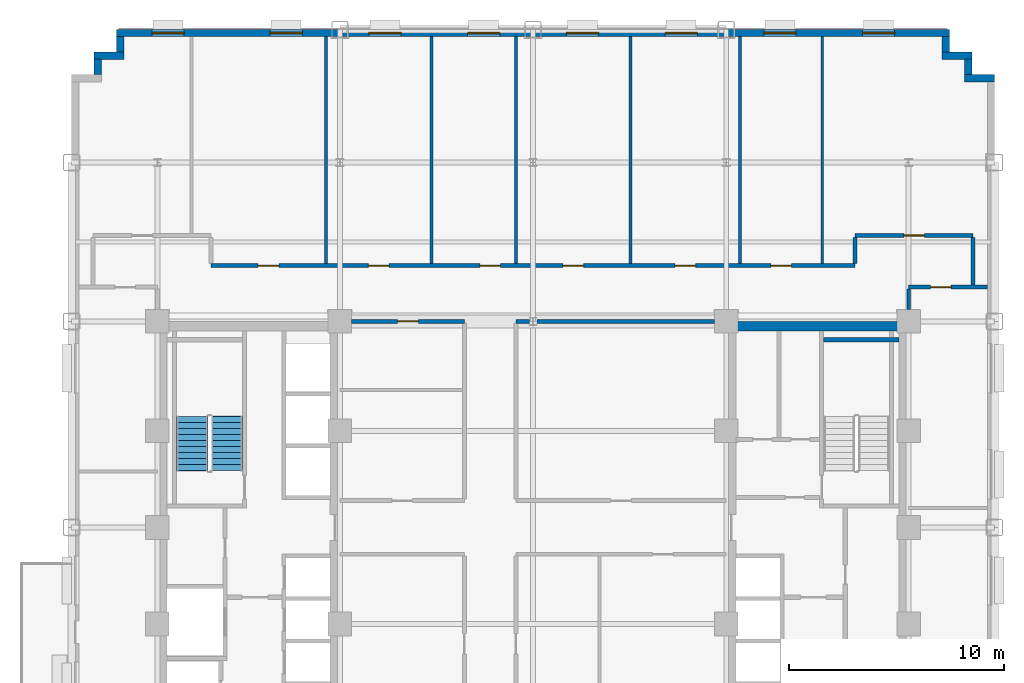
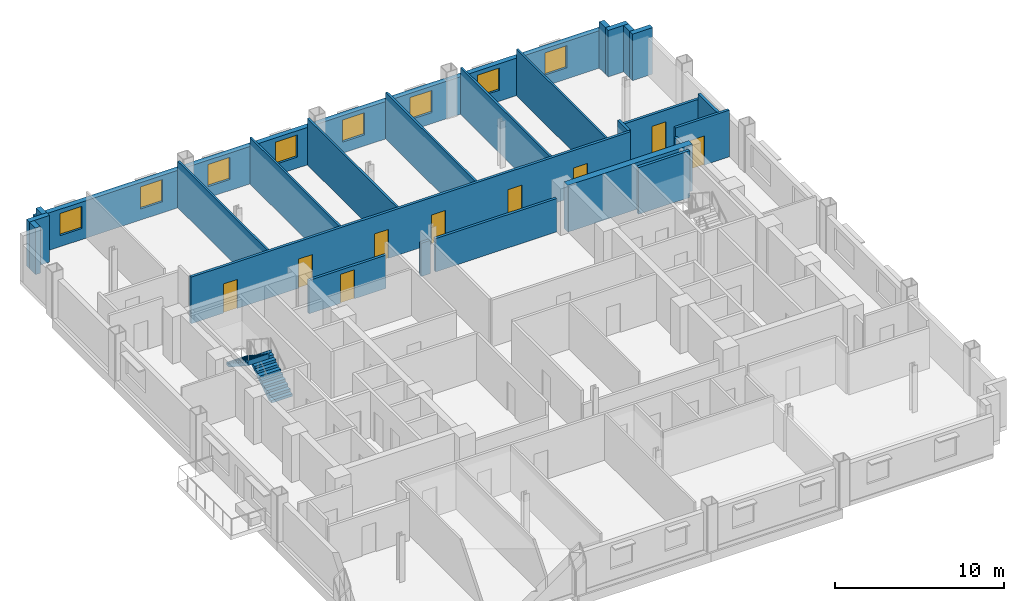
# One storey, part 9 of 14: 25 walls, 9 doors, 8 windows, 2 stair flights, 17 openings, 1 element without a shape of its own.
"""IFC4 building model written with IfcOpenShell, lengths in metres."""

from ifc_helpers import new_model, si_unit, direction, frame, frame_2d, origin, place, context, subcontext, project, spatial, polyline, rectangle, outline, extrude, source, transform, mapped, material, layer, layer_set, type_object, type_shapes, element, fill, aggregate, save


model = new_model("IFC4")

# Units and contexts
model_context = context("Model", 3, precision=1e-05, world=origin(), true_north=direction((0.0, 1.0)))
body_context = subcontext(model_context, "Body", "Model", "MODEL_VIEW")
ifc_project = project(units=[si_unit("LENGTHUNIT", "METRE"), si_unit("AREAUNIT", "SQUARE_METRE"), si_unit("VOLUMEUNIT", "CUBIC_METRE"), si_unit("PLANEANGLEUNIT", "RADIAN"), si_unit("MASSUNIT", "GRAM", prefix="KILO")], contexts=[model_context])

# Site, building, storey
site_placement = place(None, origin())
site = spatial("IfcSite", under=ifc_project, at=site_placement, CompositionType="ELEMENT")
building_placement = place(site_placement, origin())
building = spatial("IfcBuilding", under=site, at=building_placement, Name="Nuvemarco Arch Tower", CompositionType="ELEMENT")
storey_placement = place(building_placement, frame((0.0, 0.0, 60.449951171875)))
storey = spatial("IfcBuildingStorey", under=building, at=storey_placement, Name="L15", CompositionType="ELEMENT", Elevation=60.449951171875)

# Walls
ifc_material_1 = material(Name="Precast concrete C45/55", Category="concrete")
ifc_layer_1 = layer(ifc_material_1, 0.340087890625, Name="EW-LOW-340")
ifc_layer_set_1 = layer_set([ifc_layer_1], Name="Precast concrete C45/55")
wall_type_1 = type_object("IfcWallType", Name="EW-LOW-340", PredefinedType="STANDARD", material=ifc_layer_set_1)
wall_1_placement = place(storey_placement, frame((20.110107421875, 20.929931640625, 0.0), z_axis=(0.0, 0.0, 1.0), x_axis=(1.0, 0.0, 0.0)))
element("IfcWall", 1, at=wall_1_placement, inside=storey, type_object=wall_type_1, Name="L15 exterior precast facade wall 7", PredefinedType="STANDARD", context=body_context, shape_type="SweptSolid", body=[
    extrude(rectangle(XDim=1.389892578125, YDim=0.340087890625, at=frame_2d((0.69482421875, 0.0))), origin(), (0.0, 0.0, 1.0), 3.360107421875),
])
wall_2_placement = place(storey_placement, frame((20.280029296875, 21.095947265625, 0.0), z_axis=(0.0, 0.0, 1.0), x_axis=(0.0, 1.0, 0.0)))
element("IfcWall", 2, at=wall_2_placement, inside=storey, type_object=wall_type_1, Name="L15 exterior precast facade wall 8", PredefinedType="STANDARD", context=body_context, shape_type="SweptSolid", body=[
    extrude(rectangle(XDim=0.718017578125, YDim=0.340087890625, at=frame_2d((0.35888671875, 0.0))), origin(), (0.0, 0.0, 1.0), 3.360107421875),
])
wall_3_placement = place(storey_placement, frame((19.06005859375, 21.97998046875, 0.0), z_axis=(0.0, 0.0, 1.0), x_axis=(1.0, 0.0, 0.0)))
element("IfcWall", 3, at=wall_3_placement, inside=storey, type_object=wall_type_1, Name="L15 exterior precast facade wall 9", PredefinedType="STANDARD", context=body_context, shape_type="SweptSolid", body=[
    extrude(rectangle(XDim=1.389892578125, YDim=0.340087890625, at=frame_2d((0.69482421875, 0.0))), origin(), (0.0, 0.0, 1.0), 3.360107421875),
])
wall_4_placement = place(storey_placement, frame((19.22998046875, 22.14599609375, 0.0), z_axis=(0.0, 0.0, 1.0), x_axis=(0.0, 1.0, 0.0)))
element("IfcWall", 4, at=wall_4_placement, inside=storey, type_object=wall_type_1, Name="L15 exterior precast facade wall 10", PredefinedType="STANDARD", context=body_context, shape_type="SweptSolid", body=[
    extrude(rectangle(XDim=0.718017578125, YDim=0.340087890625, at=frame_2d((0.35888671875, 0.0))), origin(), (0.0, 0.0, 1.0), 3.360107421875),
])

# Wall, openings, windows
wall_5_placement = place(storey_placement, frame((-19.39990234375, 23.030029296875, 0.0), z_axis=(0.0, 0.0, 1.0), x_axis=(1.0, 0.0, 0.0)))
wall_5 = element("IfcWall", 5, at=wall_5_placement, inside=storey, type_object=wall_type_1, Name="L15 exterior precast facade wall 11", PredefinedType="STANDARD", context=body_context, shape_type="SweptSolid", body=[
    extrude(rectangle(XDim=38.7998046875, YDim=0.340087890625, at=frame_2d((19.39990234375, 0.0))), origin(), (0.0, 0.0, 1.0), 2.705078125),
])
opening_1_placement = place(wall_5_placement, frame((1.64990234375, 0.0, 0.800048828125)))
opening_1 = element("IfcOpeningElement", 6, at=opening_1_placement, cuts=wall_5, Name="Opening WN-11", PredefinedType="OPENING", context=body_context, shape_type="SweptSolid", body=[
    extrude(rectangle(XDim=1.5, YDim=1.60009765625, at=frame_2d((0.75, 0.800048828125))), frame((0.0, 0.179931640625, 0.0), z_axis=(0.0, -1.0, 0.0), x_axis=(1.0, 0.0, 0.0)), (0.0, 0.0, 1.0), 0.360107421875),
])
opening_2_placement = place(wall_5_placement, frame((7.14990234375, 0.0, 0.800048828125)))
opening_2 = element("IfcOpeningElement", 7, at=opening_2_placement, cuts=wall_5, Name="Opening WN-11", PredefinedType="OPENING", context=body_context, shape_type="SweptSolid", body=[
    extrude(rectangle(XDim=1.5, YDim=1.60009765625, at=frame_2d((0.75, 0.800048828125))), frame((0.0, 0.179931640625, 0.0), z_axis=(0.0, -1.0, 0.0), x_axis=(1.0, 0.0, 0.0)), (0.0, 0.0, 1.0), 0.360107421875),
])
opening_3_placement = place(wall_5_placement, frame((11.75, 0.0, 0.800048828125)))
opening_3 = element("IfcOpeningElement", 8, at=opening_3_placement, cuts=wall_5, Name="Opening WN-11", PredefinedType="OPENING", context=body_context, shape_type="SweptSolid", body=[
    extrude(rectangle(XDim=1.5, YDim=1.60009765625, at=frame_2d((0.75, 0.800048828125))), frame((0.0, 0.179931640625, 0.0), z_axis=(0.0, -1.0, 0.0), x_axis=(1.0, 0.0, 0.0)), (0.0, 0.0, 1.0), 0.360107421875),
])
opening_4_placement = place(wall_5_placement, frame((16.35009765625, 0.0, 0.800048828125)))
opening_4 = element("IfcOpeningElement", 9, at=opening_4_placement, cuts=wall_5, Name="Opening WN-11", PredefinedType="OPENING", context=body_context, shape_type="SweptSolid", body=[
    extrude(rectangle(XDim=1.5, YDim=1.60009765625, at=frame_2d((0.75, 0.800048828125))), frame((0.0, 0.179931640625, 0.0), z_axis=(0.0, -1.0, 0.0), x_axis=(1.0, 0.0, 0.0)), (0.0, 0.0, 1.0), 0.360107421875),
])
opening_5_placement = place(wall_5_placement, frame((20.949951171875, 0.0, 0.800048828125)))
opening_5 = element("IfcOpeningElement", 10, at=opening_5_placement, cuts=wall_5, Name="Opening WN-11", PredefinedType="OPENING", context=body_context, shape_type="SweptSolid", body=[
    extrude(rectangle(XDim=1.5, YDim=1.60009765625, at=frame_2d((0.75, 0.800048828125))), frame((0.0, 0.179931640625, 0.0), z_axis=(0.0, -1.0, 0.0), x_axis=(1.0, 0.0, 0.0)), (0.0, 0.0, 1.0), 0.360107421875),
])
opening_6_placement = place(wall_5_placement, frame((25.550048828125, 0.0, 0.800048828125)))
opening_6 = element("IfcOpeningElement", 11, at=opening_6_placement, cuts=wall_5, Name="Opening WN-11", PredefinedType="OPENING", context=body_context, shape_type="SweptSolid", body=[
    extrude(rectangle(XDim=1.5, YDim=1.60009765625, at=frame_2d((0.75, 0.800048828125))), frame((0.0, 0.179931640625, 0.0), z_axis=(0.0, -1.0, 0.0), x_axis=(1.0, 0.0, 0.0)), (0.0, 0.0, 1.0), 0.360107421875),
])
opening_7_placement = place(wall_5_placement, frame((30.14990234375, 0.0, 0.800048828125)))
opening_7 = element("IfcOpeningElement", 12, at=opening_7_placement, cuts=wall_5, Name="Opening WN-11", PredefinedType="OPENING", context=body_context, shape_type="SweptSolid", body=[
    extrude(rectangle(XDim=1.5, YDim=1.60009765625, at=frame_2d((0.75, 0.800048828125))), frame((0.0, 0.179931640625, 0.0), z_axis=(0.0, -1.0, 0.0), x_axis=(1.0, 0.0, 0.0)), (0.0, 0.0, 1.0), 0.360107421875),
])
opening_8_placement = place(wall_5_placement, frame((34.75, 0.0, 0.800048828125)))
opening_8 = element("IfcOpeningElement", 13, at=opening_8_placement, cuts=wall_5, Name="Opening WN-11", PredefinedType="OPENING", context=body_context, shape_type="SweptSolid", body=[
    extrude(rectangle(XDim=1.5, YDim=1.60009765625, at=frame_2d((0.75, 0.800048828125))), frame((0.0, 0.179931640625, 0.0), z_axis=(0.0, -1.0, 0.0), x_axis=(1.0, 0.0, 0.0)), (0.0, 0.0, 1.0), 0.360107421875),
])
ifc_material_2 = material(Name="Insulated solar-control glass", Category="glass")
window_type = type_object("IfcWindowType", Name="WN-STEP-1500x1850", PartitioningType="SINGLE_PANEL", PredefinedType="WINDOW", material=ifc_material_2)
shared_shape_1 = source(origin(), body_context, "Body", "SweptSolid", [
    extrude(rectangle(XDim=1.5, YDim=1.60009765625, at=frame_2d((0.75, 0.800048828125))), frame((0.0, 0.030029296875, 0.0), z_axis=(0.0, -1.0, 0.0), x_axis=(1.0, 0.0, 0.0)), (0.0, 0.0, 1.0), 0.06005859375),
])
type_shapes(window_type, [shared_shape_1])
window_1_placement = place(opening_1_placement, origin())
window_1 = element("IfcWindow", 14, at=window_1_placement, inside=storey, type_object=window_type, Name="L15 punched facade window 1", OverallHeight=1.60009765625, OverallWidth=1.5, PartitioningType="SINGLE_PANEL", PredefinedType="WINDOW", context=body_context, shape_type="MappedRepresentation", body=[
    mapped(shared_shape_1, transform((0.0, 0.0, 0.0), scale=1.0)),
])
fill(opening_1, window_1)
window_2_placement = place(opening_2_placement, origin())
window_2 = element("IfcWindow", 15, at=window_2_placement, inside=storey, type_object=window_type, Name="L15 punched facade window 2", OverallHeight=1.60009765625, OverallWidth=1.5, PartitioningType="SINGLE_PANEL", PredefinedType="WINDOW", context=body_context, shape_type="MappedRepresentation", body=[
    mapped(shared_shape_1, transform((0.0, 0.0, 0.0), scale=1.0)),
])
fill(opening_2, window_2)
window_3_placement = place(opening_3_placement, origin())
window_3 = element("IfcWindow", 16, at=window_3_placement, inside=storey, type_object=window_type, Name="L15 punched facade window 3", OverallHeight=1.60009765625, OverallWidth=1.5, PartitioningType="SINGLE_PANEL", PredefinedType="WINDOW", context=body_context, shape_type="MappedRepresentation", body=[
    mapped(shared_shape_1, transform((0.0, 0.0, 0.0), scale=1.0)),
])
fill(opening_3, window_3)
window_4_placement = place(opening_4_placement, origin())
window_4 = element("IfcWindow", 17, at=window_4_placement, inside=storey, type_object=window_type, Name="L15 punched facade window 4", OverallHeight=1.60009765625, OverallWidth=1.5, PartitioningType="SINGLE_PANEL", PredefinedType="WINDOW", context=body_context, shape_type="MappedRepresentation", body=[
    mapped(shared_shape_1, transform((0.0, 0.0, 0.0), scale=1.0)),
])
fill(opening_4, window_4)
window_5_placement = place(opening_5_placement, origin())
window_5 = element("IfcWindow", 18, at=window_5_placement, inside=storey, type_object=window_type, Name="L15 punched facade window 5", OverallHeight=1.60009765625, OverallWidth=1.5, PartitioningType="SINGLE_PANEL", PredefinedType="WINDOW", context=body_context, shape_type="MappedRepresentation", body=[
    mapped(shared_shape_1, transform((0.0, 0.0, 0.0), scale=1.0)),
])
fill(opening_5, window_5)
window_6_placement = place(opening_6_placement, origin())
window_6 = element("IfcWindow", 19, at=window_6_placement, inside=storey, type_object=window_type, Name="L15 punched facade window 6", OverallHeight=1.60009765625, OverallWidth=1.5, PartitioningType="SINGLE_PANEL", PredefinedType="WINDOW", context=body_context, shape_type="MappedRepresentation", body=[
    mapped(shared_shape_1, transform((0.0, 0.0, 0.0), scale=1.0)),
])
fill(opening_6, window_6)
window_7_placement = place(opening_7_placement, origin())
window_7 = element("IfcWindow", 20, at=window_7_placement, inside=storey, type_object=window_type, Name="L15 punched facade window 7", OverallHeight=1.60009765625, OverallWidth=1.5, PartitioningType="SINGLE_PANEL", PredefinedType="WINDOW", context=body_context, shape_type="MappedRepresentation", body=[
    mapped(shared_shape_1, transform((0.0, 0.0, 0.0), scale=1.0)),
])
fill(opening_7, window_7)
window_8_placement = place(opening_8_placement, origin())
window_8 = element("IfcWindow", 21, at=window_8_placement, inside=storey, type_object=window_type, Name="L15 punched facade window 8", OverallHeight=1.60009765625, OverallWidth=1.5, PartitioningType="SINGLE_PANEL", PredefinedType="WINDOW", context=body_context, shape_type="MappedRepresentation", body=[
    mapped(shared_shape_1, transform((0.0, 0.0, 0.0), scale=1.0)),
])
fill(opening_8, window_8)

# Walls
wall_6_placement = place(storey_placement, frame((-19.22998046875, 22.14599609375, 0.0), z_axis=(0.0, 0.0, 1.0), x_axis=(0.0, 1.0, 0.0)))
element("IfcWall", 22, at=wall_6_placement, inside=storey, type_object=wall_type_1, Name="L15 exterior precast facade wall 12", PredefinedType="STANDARD", context=body_context, shape_type="SweptSolid", body=[
    extrude(rectangle(XDim=0.718017578125, YDim=0.340087890625, at=frame_2d((0.35888671875, 0.0))), origin(), (0.0, 0.0, 1.0), 3.360107421875),
])
wall_7_placement = place(storey_placement, frame((-20.449951171875, 21.97998046875, 0.0), z_axis=(0.0, 0.0, 1.0), x_axis=(1.0, 0.0, 0.0)))
element("IfcWall", 23, at=wall_7_placement, inside=storey, type_object=wall_type_1, Name="L15 exterior precast facade wall 13", PredefinedType="STANDARD", context=body_context, shape_type="SweptSolid", body=[
    extrude(rectangle(XDim=1.389892578125, YDim=0.340087890625, at=frame_2d((0.69482421875, 0.0))), origin(), (0.0, 0.0, 1.0), 3.360107421875),
])
wall_8_placement = place(storey_placement, frame((-20.280029296875, 21.095947265625, 0.0), z_axis=(0.0, 0.0, 1.0), x_axis=(0.0, 1.0, 0.0)))
element("IfcWall", 24, at=wall_8_placement, inside=storey, type_object=wall_type_1, Name="L15 exterior precast facade wall 14", PredefinedType="STANDARD", context=body_context, shape_type="SweptSolid", body=[
    extrude(rectangle(XDim=0.718017578125, YDim=0.340087890625, at=frame_2d((0.35888671875, 0.0))), origin(), (0.0, 0.0, 1.0), 3.360107421875),
])
ifc_material_3 = material(Name="Concrete C60/75", Category="concrete")
ifc_layer_2 = layer(ifc_material_3, 0.449951171875, Name="WL-CORE-450")
ifc_layer_set_2 = layer_set([ifc_layer_2], Name="Concrete C60/75")
wall_type_2 = type_object("IfcWallType", Name="WL-CORE-450", PredefinedType="SHEAR", material=ifc_layer_set_2)
wall_9_placement = place(storey_placement, frame((9.0, 9.375, 0.0), z_axis=(0.0, 0.0, 1.0), x_axis=(1.0, 0.0, 0.0)))
element("IfcWall", 25, at=wall_9_placement, inside=storey, type_object=wall_type_2, Name="L15 E-core shear wall N", PredefinedType="SHEAR", context=body_context, shape_type="SweptSolid", body=[
    extrude(rectangle(XDim=8.5, YDim=0.449951171875, at=frame_2d((4.25, 0.0))), origin(), (0.0, 0.0, 1.0), 3.3701171875),
])

# Wall, opening, door
ifc_material_4 = material(Name="Fire-rated gypsum drywall partition")
ifc_layer_3 = layer(ifc_material_4, 0.179931640625, Name="WL-CORR-180")
ifc_layer_set_3 = layer_set([ifc_layer_3], Name="Fire-rated gypsum drywall partition")
wall_type_3 = type_object("IfcWallType", Name="WL-CORR-180", PredefinedType="PARTITIONING", material=ifc_layer_set_3)
wall_10_placement = place(storey_placement, frame((-8.4541015625, 9.60009765625, 0.0), z_axis=(0.0, 0.0, 1.0), x_axis=(1.0, 0.0, 0.0)))
wall_10 = element("IfcWall", 26, at=wall_10_placement, inside=storey, type_object=wall_type_3, Name="L15 interior wall IW-L15-018", PredefinedType="PARTITIONING", context=body_context, shape_type="SweptSolid", body=[
    extrude(rectangle(XDim=5.254150390625, YDim=0.179931640625, at=frame_2d((2.626953125, 0.0))), origin(), (0.0, 0.0, 1.0), 2.405029296875),
])
opening_9_placement = place(wall_10_placement, frame((2.14697265625, 0.0, 0.0)))
opening_9 = element("IfcOpeningElement", 27, at=opening_9_placement, cuts=wall_10, Name="Opening FD-5", PredefinedType="OPENING", context=body_context, shape_type="SweptSolid", body=[
    extrude(rectangle(XDim=0.9599609375, YDim=2.10009765625, at=frame_2d((0.47998046875, 1.050048828125))), frame((0.0, 0.099853515625, 0.0), z_axis=(0.0, -1.0, 0.0), x_axis=(1.0, 0.0, 0.0)), (0.0, 0.0, 1.0), 0.199951171875),
])
ifc_material_5 = material(Name="Timber fire door", Category="wood")
door_type = type_object("IfcDoorType", Name="DR-CORR-FD", OperationType="NOTDEFINED", PredefinedType="DOOR", material=ifc_material_5)
shared_shape_2 = source(origin(), body_context, "Body", "SweptSolid", [
    extrude(rectangle(XDim=0.9599609375, YDim=2.10009765625, at=frame_2d((0.47998046875, 1.050048828125))), frame((0.0, 0.02490234375, 0.0), z_axis=(0.0, -1.0, 0.0), x_axis=(1.0, 0.0, 0.0)), (0.0, 0.0, 1.0), 0.050048828125),
])
type_shapes(door_type, [shared_shape_2])
door_1_placement = place(opening_9_placement, origin())
door_1 = element("IfcDoor", 28, at=door_1_placement, inside=storey, type_object=door_type, Name="L15 door DR-L15-C_NW2", OperationType="SINGLE_SWING_RIGHT", OverallHeight=2.10009765625, OverallWidth=0.9599609375, PredefinedType="DOOR", context=body_context, shape_type="MappedRepresentation", body=[
    mapped(shared_shape_2, transform((0.0, 0.0, 0.0), scale=1.0)),
])
fill(opening_9, door_1)

# Walls
wall_11_placement = place(storey_placement, frame((-0.800048828125, 9.60009765625, 0.0), z_axis=(0.0, 0.0, 1.0), x_axis=(1.0, 0.0, 0.0)))
element("IfcWall", 29, at=wall_11_placement, inside=storey, type_object=wall_type_3, Name="L15 interior wall IW-L15-019", PredefinedType="PARTITIONING", context=body_context, shape_type="SweptSolid", body=[
    extrude(rectangle(XDim=0.6240234375, YDim=0.179931640625, at=frame_2d((0.31201171875, 0.0))), origin(), (0.0, 0.0, 1.0), 2.405029296875),
])
wall_12_placement = place(storey_placement, frame((0.176025390625, 9.60009765625, 0.0), z_axis=(0.0, 0.0, 1.0), x_axis=(1.0, 0.0, 0.0)))
element("IfcWall", 30, at=wall_12_placement, inside=storey, type_object=wall_type_3, Name="L15 interior wall IW-L15-020", PredefinedType="PARTITIONING", context=body_context, shape_type="SweptSolid", body=[
    extrude(rectangle(XDim=8.278076171875, YDim=0.179931640625, at=frame_2d((4.13916015625, 0.0))), origin(), (0.0, 0.0, 1.0), 2.405029296875),
])

# Wall, opening, door
wall_13_placement = place(storey_placement, frame((17.5, 11.199951171875, 0.0), z_axis=(0.0, 0.0, 1.0), x_axis=(1.0, 0.0, 0.0)))
wall_13 = element("IfcWall", 31, at=wall_13_placement, inside=storey, type_object=wall_type_3, Name="L15 interior wall IW-L15-022", PredefinedType="PARTITIONING", context=body_context, shape_type="SweptSolid", body=[
    extrude(rectangle(XDim=3.659912109375, YDim=0.179931640625, at=frame_2d((1.830078125, 0.0))), origin(), (0.0, 0.0, 1.0), 3.360107421875),
])
opening_10_placement = place(wall_13_placement, frame((1.02001953125, 0.0, 0.0)))
opening_10 = element("IfcOpeningElement", 32, at=opening_10_placement, cuts=wall_13, Name="Opening FD-5", PredefinedType="OPENING", context=body_context, shape_type="SweptSolid", body=[
    extrude(rectangle(XDim=0.9599609375, YDim=2.10009765625, at=frame_2d((0.47998046875, 1.050048828125))), frame((0.0, 0.099853515625, 0.0), z_axis=(0.0, -1.0, 0.0), x_axis=(1.0, 0.0, 0.0)), (0.0, 0.0, 1.0), 0.199951171875),
])
door_2_placement = place(opening_10_placement, origin())
door_2 = element("IfcDoor", 33, at=door_2_placement, inside=storey, type_object=door_type, Name="L15 door DR-L15-E_2", OperationType="SINGLE_SWING_LEFT", OverallHeight=2.10009765625, OverallWidth=0.9599609375, PredefinedType="DOOR", context=body_context, shape_type="MappedRepresentation", body=[
    mapped(shared_shape_2, transform((0.0, 0.0, 0.0), scale=1.0)),
])
fill(opening_10, door_2)

# Wall, openings, doors
wall_14_placement = place(storey_placement, frame((-15.0, 12.199951171875, 0.0), z_axis=(0.0, 0.0, 1.0), x_axis=(1.0, 0.0, 0.0)))
wall_14 = element("IfcWall", 34, at=wall_14_placement, inside=storey, type_object=wall_type_3, Name="L15 interior wall IW-L15-023", PredefinedType="PARTITIONING", context=body_context, shape_type="SweptSolid", body=[
    extrude(rectangle(XDim=30.0, YDim=0.179931640625, at=frame_2d((15.0, 0.0))), origin(), (0.0, 0.0, 1.0), 3.360107421875),
])
opening_11_placement = place(wall_14_placement, frame((2.195068359375, 0.0, 0.0)))
opening_11 = element("IfcOpeningElement", 35, at=opening_11_placement, cuts=wall_14, Name="Opening FD-5", PredefinedType="OPENING", context=body_context, shape_type="SweptSolid", body=[
    extrude(rectangle(XDim=0.9599609375, YDim=2.10009765625, at=frame_2d((0.47998046875, 1.050048828125))), frame((0.0, 0.099853515625, 0.0), z_axis=(0.0, -1.0, 0.0), x_axis=(1.0, 0.0, 0.0)), (0.0, 0.0, 1.0), 0.199951171875),
])
opening_12_placement = place(wall_14_placement, frame((16.39501953125, 0.0, 0.0)))
opening_12 = element("IfcOpeningElement", 36, at=opening_12_placement, cuts=wall_14, Name="Opening FD-5", PredefinedType="OPENING", context=body_context, shape_type="SweptSolid", body=[
    extrude(rectangle(XDim=0.9599609375, YDim=2.10009765625, at=frame_2d((0.47998046875, 1.050048828125))), frame((0.0, 0.099853515625, 0.0), z_axis=(0.0, -1.0, 0.0), x_axis=(1.0, 0.0, 0.0)), (0.0, 0.0, 1.0), 0.199951171875),
])
opening_13_placement = place(wall_14_placement, frame((21.6201171875, 0.0, 0.0)))
opening_13 = element("IfcOpeningElement", 37, at=opening_13_placement, cuts=wall_14, Name="Opening FD-5", PredefinedType="OPENING", context=body_context, shape_type="SweptSolid", body=[
    extrude(rectangle(XDim=0.9599609375, YDim=2.10009765625, at=frame_2d((0.47998046875, 1.050048828125))), frame((0.0, 0.099853515625, 0.0), z_axis=(0.0, -1.0, 0.0), x_axis=(1.0, 0.0, 0.0)), (0.0, 0.0, 1.0), 0.199951171875),
])
opening_14_placement = place(wall_14_placement, frame((7.330078125, 0.0, 0.0)))
opening_14 = element("IfcOpeningElement", 38, at=opening_14_placement, cuts=wall_14, Name="Opening FD-5", PredefinedType="OPENING", context=body_context, shape_type="SweptSolid", body=[
    extrude(rectangle(XDim=0.9599609375, YDim=2.10009765625, at=frame_2d((0.47998046875, 1.050048828125))), frame((0.0, 0.099853515625, 0.0), z_axis=(0.0, -1.0, 0.0), x_axis=(1.0, 0.0, 0.0)), (0.0, 0.0, 1.0), 0.199951171875),
])
opening_15_placement = place(wall_14_placement, frame((26.080078125, 0.0, 0.0)))
opening_15 = element("IfcOpeningElement", 39, at=opening_15_placement, cuts=wall_14, Name="Opening FD-5", PredefinedType="OPENING", context=body_context, shape_type="SweptSolid", body=[
    extrude(rectangle(XDim=0.9599609375, YDim=2.10009765625, at=frame_2d((0.47998046875, 1.050048828125))), frame((0.0, 0.099853515625, 0.0), z_axis=(0.0, -1.0, 0.0), x_axis=(1.0, 0.0, 0.0)), (0.0, 0.0, 1.0), 0.199951171875),
])
opening_16_placement = place(wall_14_placement, frame((12.52001953125, 0.0, 0.0)))
opening_16 = element("IfcOpeningElement", 40, at=opening_16_placement, cuts=wall_14, Name="Opening FD-5", PredefinedType="OPENING", context=body_context, shape_type="SweptSolid", body=[
    extrude(rectangle(XDim=0.9599609375, YDim=2.10009765625, at=frame_2d((0.47998046875, 1.050048828125))), frame((0.0, 0.099853515625, 0.0), z_axis=(0.0, -1.0, 0.0), x_axis=(1.0, 0.0, 0.0)), (0.0, 0.0, 1.0), 0.199951171875),
])
door_3_placement = place(opening_11_placement, origin())
door_3 = element("IfcDoor", 41, at=door_3_placement, inside=storey, type_object=door_type, Name="L15 door DR-L15-N_2", OperationType="SINGLE_SWING_RIGHT", OverallHeight=2.10009765625, OverallWidth=0.9599609375, PredefinedType="DOOR", context=body_context, shape_type="MappedRepresentation", body=[
    mapped(shared_shape_2, transform((0.0, 0.0, 0.0), scale=1.0)),
])
fill(opening_11, door_3)
door_4_placement = place(opening_12_placement, origin())
door_4 = element("IfcDoor", 42, at=door_4_placement, inside=storey, type_object=door_type, Name="L15 door DR-L15-N_5", OperationType="SINGLE_SWING_LEFT", OverallHeight=2.10009765625, OverallWidth=0.9599609375, PredefinedType="DOOR", context=body_context, shape_type="MappedRepresentation", body=[
    mapped(shared_shape_2, transform((0.0, 0.0, 0.0), scale=1.0)),
])
fill(opening_12, door_4)
door_5_placement = place(opening_13_placement, origin())
door_5 = element("IfcDoor", 43, at=door_5_placement, inside=storey, type_object=door_type, Name="L15 door DR-L15-N_6", OperationType="SINGLE_SWING_LEFT", OverallHeight=2.10009765625, OverallWidth=0.9599609375, PredefinedType="DOOR", context=body_context, shape_type="MappedRepresentation", body=[
    mapped(shared_shape_2, transform((0.0, 0.0, 0.0), scale=1.0)),
])
fill(opening_13, door_5)
door_6_placement = place(opening_14_placement, origin())
door_6 = element("IfcDoor", 44, at=door_6_placement, inside=storey, type_object=door_type, Name="L15 door DR-L15-N_3", OperationType="SINGLE_SWING_RIGHT", OverallHeight=2.10009765625, OverallWidth=0.9599609375, PredefinedType="DOOR", context=body_context, shape_type="MappedRepresentation", body=[
    mapped(shared_shape_2, transform((0.0, 0.0, 0.0), scale=1.0)),
])
fill(opening_14, door_6)
door_7_placement = place(opening_15_placement, origin())
door_7 = element("IfcDoor", 45, at=door_7_placement, inside=storey, type_object=door_type, Name="L15 door DR-L15-N_7", OperationType="SINGLE_SWING_LEFT", OverallHeight=2.10009765625, OverallWidth=0.9599609375, PredefinedType="DOOR", context=body_context, shape_type="MappedRepresentation", body=[
    mapped(shared_shape_2, transform((0.0, 0.0, 0.0), scale=1.0)),
])
fill(opening_15, door_7)
door_8_placement = place(opening_16_placement, origin())
door_8 = element("IfcDoor", 46, at=door_8_placement, inside=storey, type_object=door_type, Name="L15 door DR-L15-N_4", OperationType="SINGLE_SWING_LEFT", OverallHeight=2.10009765625, OverallWidth=0.9599609375, PredefinedType="DOOR", context=body_context, shape_type="MappedRepresentation", body=[
    mapped(shared_shape_2, transform((0.0, 0.0, 0.0), scale=1.0)),
])
fill(opening_16, door_8)

# Wall, opening, door
wall_15_placement = place(storey_placement, frame((15.0, 13.60009765625, 0.0), z_axis=(0.0, 0.0, 1.0), x_axis=(1.0, 0.0, 0.0)))
wall_15 = element("IfcWall", 47, at=wall_15_placement, inside=storey, type_object=wall_type_3, Name="L15 interior wall IW-L15-025", PredefinedType="PARTITIONING", context=body_context, shape_type="SweptSolid", body=[
    extrude(rectangle(XDim=5.5, YDim=0.179931640625, at=frame_2d((2.75, 0.0))), origin(), (0.0, 0.0, 1.0), 2.942138671875),
])
opening_17_placement = place(wall_15_placement, frame((2.27001953125, 0.0, 0.0)))
opening_17 = element("IfcOpeningElement", 48, at=opening_17_placement, cuts=wall_15, Name="Opening FD-5", PredefinedType="OPENING", context=body_context, shape_type="SweptSolid", body=[
    extrude(rectangle(XDim=0.9599609375, YDim=2.10009765625, at=frame_2d((0.47998046875, 1.050048828125))), frame((0.0, 0.099853515625, 0.0), z_axis=(0.0, -1.0, 0.0), x_axis=(1.0, 0.0, 0.0)), (0.0, 0.0, 1.0), 0.199951171875),
])
door_9_placement = place(opening_17_placement, origin())
door_9 = element("IfcDoor", 49, at=door_9_placement, inside=storey, type_object=door_type, Name="L15 door DR-L15-N_8", OperationType="SINGLE_SWING_RIGHT", OverallHeight=2.10009765625, OverallWidth=0.9599609375, PredefinedType="DOOR", context=body_context, shape_type="MappedRepresentation", body=[
    mapped(shared_shape_2, transform((0.0, 0.0, 0.0), scale=1.0)),
])
fill(opening_17, door_9)

# Walls
wall_16_placement = place(storey_placement, frame((15.0, 12.285888671875, 0.0), z_axis=(0.0, 0.0, 1.0), x_axis=(0.0, 1.0, 0.0)))
element("IfcWall", 50, at=wall_16_placement, inside=storey, type_object=wall_type_3, Name="L15 interior wall IW-L15-054", PredefinedType="PARTITIONING", context=body_context, shape_type="SweptSolid", body=[
    extrude(rectangle(XDim=1.22802734375, YDim=0.179931640625, at=frame_2d((0.614013671875, 0.0))), origin(), (0.0, 0.0, 1.0), 3.360107421875),
])
wall_17_placement = place(storey_placement, frame((17.5, 10.14599609375, 0.0), z_axis=(0.0, 0.0, 1.0), x_axis=(0.0, 1.0, 0.0)))
element("IfcWall", 51, at=wall_17_placement, inside=storey, type_object=wall_type_3, Name="L15 interior wall IW-L15-056", PredefinedType="PARTITIONING", context=body_context, shape_type="SweptSolid", body=[
    extrude(rectangle(XDim=0.968017578125, YDim=0.179931640625, at=frame_2d((0.48388671875, 0.0))), origin(), (0.0, 0.0, 1.0), 2.738037109375),
])
wall_18_placement = place(storey_placement, frame((20.5, 11.285888671875, 0.0), z_axis=(0.0, 0.0, 1.0), x_axis=(0.0, 1.0, 0.0)))
element("IfcWall", 52, at=wall_18_placement, inside=storey, type_object=wall_type_3, Name="L15 interior wall IW-L15-058", PredefinedType="PARTITIONING", context=body_context, shape_type="SweptSolid", body=[
    extrude(rectangle(XDim=2.22802734375, YDim=0.179931640625, at=frame_2d((1.114013671875, 0.0))), origin(), (0.0, 0.0, 1.0), 3.360107421875),
])
ifc_material_6 = material(Name="Glazed acoustic office partition")
ifc_layer_4 = layer(ifc_material_6, 0.1298828125, Name="WL-EXEC-130")
ifc_layer_set_4 = layer_set([ifc_layer_4], Name="Glazed acoustic office partition")
wall_type_4 = type_object("IfcWallType", Name="WL-EXEC-130", PredefinedType="PARTITIONING", material=ifc_layer_set_4)
for number, where, z_axis, x_axis, name in (
    (53, (-9.64990234375, 12.285888671875, 0.0), (0.0, 0.0, 1.0), (0.0, 1.0, 0.0), "L15 interior wall IW-L15-035"),
    (54, (-4.72998046875, 12.285888671875, 0.0), (0.0, 0.0, 1.0), (0.0, 1.0, 0.0), "L15 interior wall IW-L15-037"),
    (55, (13.469970703125, 12.285888671875, 0.0), (0.0, 0.0, 1.0), (0.0, 1.0, 0.0), "L15 interior wall IW-L15-052"),
):
    element("IfcWall", number, at=place(storey_placement, frame(where, z_axis=z_axis, x_axis=x_axis)), inside=storey, type_object=wall_type_4, Name=name, PredefinedType="PARTITIONING", context=body_context, shape_type="SweptSolid", body=[
        extrude(rectangle(XDim=10.57421875, YDim=0.1298828125, at=frame_2d((5.287109375, 0.0))), origin(), (0.0, 0.0, 1.0), 3.360107421875),
    ])
ifc_material_7 = material(Name="Gypsum plasterboard partition")
ifc_layer_5 = layer(ifc_material_7, 0.139892578125, Name="WL-ROOM-140")
ifc_layer_set_5 = layer_set([ifc_layer_5], Name="Gypsum plasterboard partition")
wall_type_5 = type_object("IfcWallType", Name="WL-ROOM-140", PredefinedType="PARTITIONING", material=ifc_layer_set_5)
for number, where, z_axis, x_axis, name in (
    (56, (-0.800048828125, 12.285888671875, 0.0), (0.0, 0.0, 1.0), (0.0, 1.0, 0.0), "L15 interior wall IW-L15-043"),
    (57, (4.550048828125, 12.285888671875, 0.0), (0.0, 0.0, 1.0), (0.0, 1.0, 0.0), "L15 interior wall IW-L15-047"),
    (58, (9.64990234375, 12.285888671875, 0.0), (0.0, 0.0, 1.0), (0.0, 1.0, 0.0), "L15 interior wall IW-L15-051"),
):
    element("IfcWall", number, at=place(storey_placement, frame(where, z_axis=z_axis, x_axis=x_axis)), inside=storey, type_object=wall_type_5, Name=name, PredefinedType="PARTITIONING", context=body_context, shape_type="SweptSolid", body=[
        extrude(rectangle(XDim=10.57421875, YDim=0.139892578125, at=frame_2d((5.287109375, 0.0))), origin(), (0.0, 0.0, 1.0), 3.360107421875),
    ])
ifc_material_8 = material(Name="Concrete C50/60", Category="concrete")
ifc_layer_6 = layer(ifc_material_8, 0.199951171875, Name="WL-SHAFT-220")
ifc_layer_set_6 = layer_set([ifc_layer_6], Name="Concrete C50/60")
wall_type_6 = type_object("IfcWallType", Name="WL-SHAFT-220", PredefinedType="SHEAR", material=ifc_layer_set_6)
wall_19_placement = place(storey_placement, frame((13.534912109375, 8.75, 0.0), z_axis=(0.0, 0.0, 1.0), x_axis=(1.0, 0.0, 0.0)))
element("IfcWall", 59, at=wall_19_placement, inside=storey, type_object=wall_type_6, Name="L15 structural shaft wall SW-L15-E-ST2N", PredefinedType="SHEAR", context=body_context, shape_type="SweptSolid", body=[
    extrude(rectangle(XDim=3.52001953125, YDim=0.199951171875, at=frame_2d((1.760009765625, 0.0))), origin(), (0.0, 0.0, 1.0), 3.3701171875),
])

# Stair, stair flights
stair_type = type_object("IfcStairType", Name="ST-CORE-20R", PredefinedType="HALF_TURN_STAIR", material=ifc_material_1)
stair_placement = place(storey_placement, origin())
stair = element("IfcStair", 60, at=stair_placement, inside=storey, type_object=stair_type, Name="L15 Protected Exit Stair ST-1", PredefinedType="HALF_TURN_STAIR")
stair_flight_type = type_object("IfcStairFlightType", Name="SF-CORE-20R", PredefinedType="STRAIGHT", material=ifc_material_1)
stair_flight_1_placement = place(storey_placement, frame((-14.264892578125, 2.64990234375, 0.0), z_axis=(0.0, 0.0, 1.0), x_axis=(0.0, 1.0, 0.0)))
stair_flight_1 = element("IfcStairFlight", 61, at=stair_flight_1_placement, type_object=stair_flight_type, Name="ST-20R flight 1", NumberOfRisers=10, NumberOfTreads=9, PredefinedType="STRAIGHT", RiserHeight=0.1825, TreadLength=0.28, context=body_context, shape_type="SweptSolid", body=[
    extrude(outline(polyline([(0.0, 0.0), (0.0, 0.1826171875), (0.280029296875, 0.1826171875), (0.280029296875, 0.364990234375), (0.56005859375, 0.364990234375), (0.56005859375, 0.547607421875), (0.840087890625, 0.547607421875), (0.840087890625, 0.72998046875), (1.1201171875, 0.72998046875), (1.1201171875, 0.91259765625), (1.39990234375, 0.91259765625), (1.39990234375, 1.094970703125), (1.679931640625, 1.094970703125), (1.679931640625, 1.277587890625), (1.9599609375, 1.277587890625), (1.9599609375, 1.4599609375), (2.239990234375, 1.4599609375), (2.239990234375, 1.642578125), (2.52001953125, 1.642578125), (2.52001953125, 1.824951171875), (2.5400390625, 1.824951171875), (2.5400390625, 1.45166015625), (0.312744140625, 0.0), (0.0, 0.0)])), frame((0.0, 0.72509765625, 0.0), z_axis=(0.0, -1.0, 0.0), x_axis=(1.0, 0.0, 0.0)), (0.0, 0.0, 1.0), 1.449951171875),
])
stair_flight_2_placement = place(storey_placement, frame((-15.875, 5.169921875, 1.824951171875), z_axis=(0.0, 0.0, 1.0), x_axis=(0.0, -1.0, 0.0)))
stair_flight_2 = element("IfcStairFlight", 62, at=stair_flight_2_placement, type_object=stair_flight_type, Name="ST-20R flight 2", NumberOfRisers=10, NumberOfTreads=9, PredefinedType="STRAIGHT", RiserHeight=0.1825, TreadLength=0.28, context=body_context, shape_type="SweptSolid", body=[
    extrude(outline(polyline([(0.0, 0.0), (0.0, 0.1826171875), (0.280029296875, 0.1826171875), (0.280029296875, 0.364990234375), (0.56005859375, 0.364990234375), (0.56005859375, 0.547607421875), (0.840087890625, 0.547607421875), (0.840087890625, 0.72998046875), (1.1201171875, 0.72998046875), (1.1201171875, 0.91259765625), (1.39990234375, 0.91259765625), (1.39990234375, 1.094970703125), (1.679931640625, 1.094970703125), (1.679931640625, 1.277587890625), (1.9599609375, 1.277587890625), (1.9599609375, 1.4599609375), (2.239990234375, 1.4599609375), (2.239990234375, 1.642578125), (2.52001953125, 1.642578125), (2.52001953125, 1.824951171875), (2.5400390625, 1.824951171875), (2.5400390625, 1.45166015625), (0.312744140625, 0.0), (0.0, 0.0)])), frame((0.0, 0.72509765625, 0.0), z_axis=(0.0, -1.0, 0.0), x_axis=(1.0, 0.0, 0.0)), (0.0, 0.0, 1.0), 1.449951171875),
])
aggregate(stair, [stair_flight_1, stair_flight_2])

save(model, "model.ifc")
